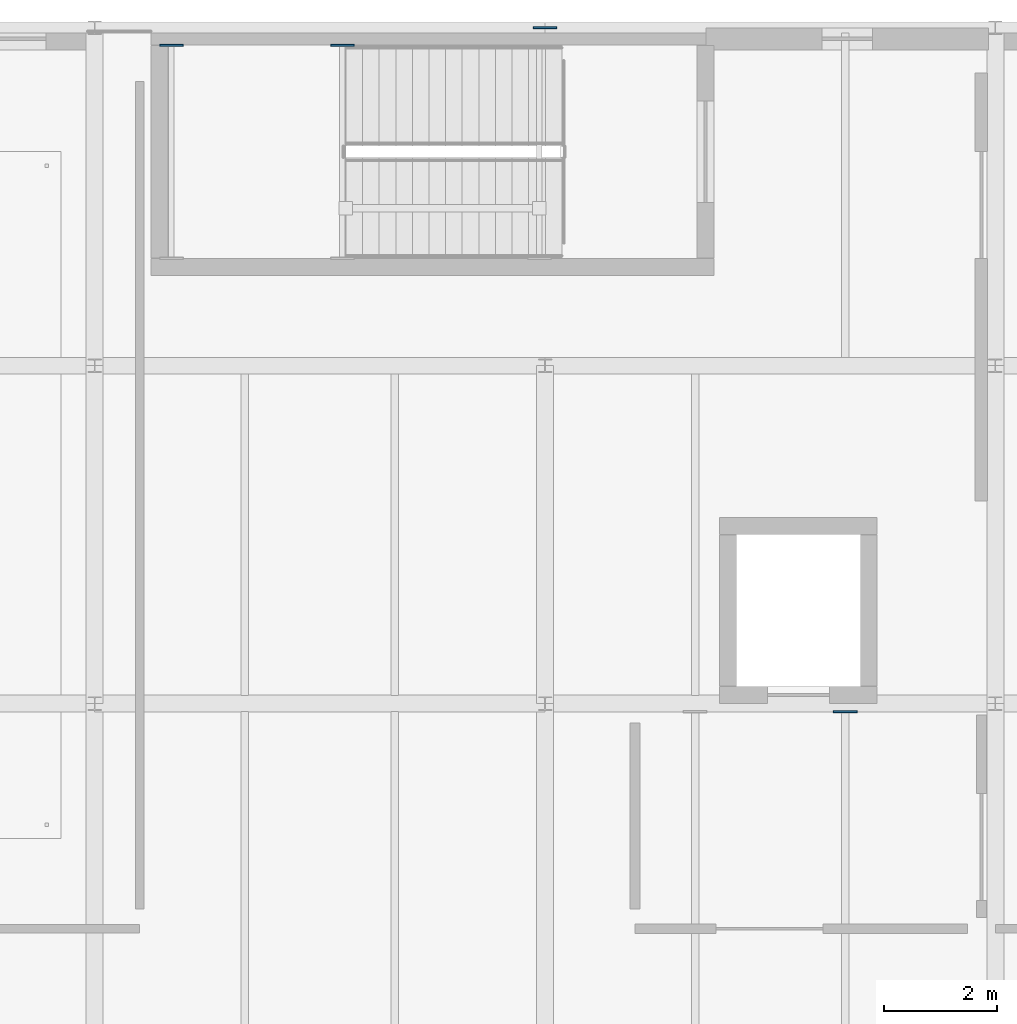
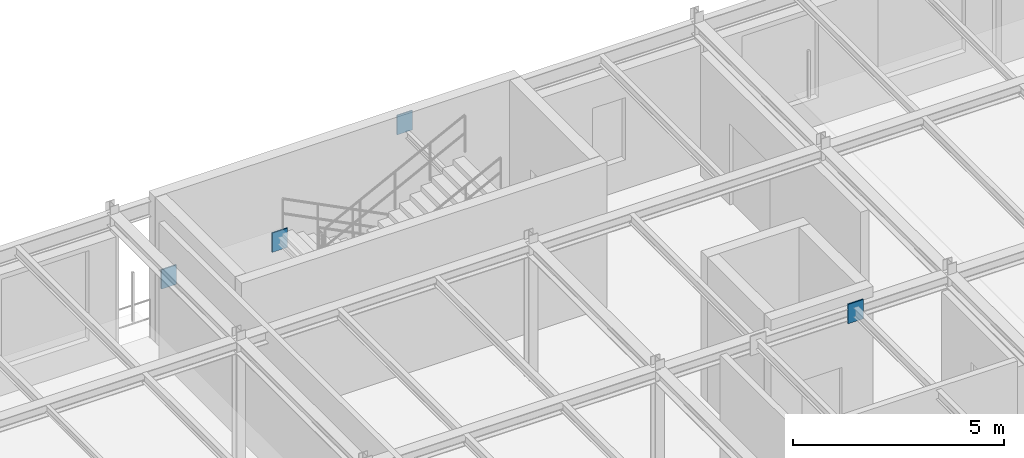
# One storey, part 76 of 124: 4 plates.
"""IFC4 building model written with IfcOpenShell, lengths in metres."""

from ifc_helpers import new_model, si_unit, direction, frame, origin, origin_2d, place, context, subcontext, project, spatial, rectangle, extrude, material, layer, layer_set, type_object, element, save


model = new_model("IFC4")

# Units and contexts
model_context = context("Model", 3, precision=1e-05, world=origin(), true_north=direction((0.0, 1.0)))
body_context = subcontext(model_context, "Body", "Model", "MODEL_VIEW")
ifc_project = project(units=[si_unit("LENGTHUNIT", "METRE"), si_unit("AREAUNIT", "SQUARE_METRE"), si_unit("VOLUMEUNIT", "CUBIC_METRE"), si_unit("PLANEANGLEUNIT", "RADIAN"), si_unit("MASSUNIT", "GRAM", prefix="KILO")], contexts=[model_context])

# Site, building, storey
site_placement = place(None, origin())
site = spatial("IfcSite", under=ifc_project, at=site_placement, CompositionType="ELEMENT")
building_placement = place(site_placement, origin())
building = spatial("IfcBuilding", under=site, at=building_placement, Name="Sundkrona Museum", CompositionType="ELEMENT")
storey_placement = place(building_placement, frame((0.0, 0.0, 17.60009765625)))
storey = spatial("IfcBuildingStorey", under=building, at=storey_placement, Name="L03", CompositionType="ELEMENT", Elevation=17.60009765625)

# Plates
ifc_material = material(Name="Steel S355J2", Category="steel")
ifc_layer = layer(ifc_material, 0.034912109375)
ifc_layer_set = layer_set([ifc_layer], Name="Steel S355J2")
plate_type = type_object("IfcPlateType", Name="EP-1", PredefinedType="USERDEFINED", material=ifc_layer_set)
for number, where, z_axis, x_axis, name in (
    (1, (48.0, 114.0, 3.454833984375), (0.0, 0.0, 1.0), (1.0, 0.0, 0.0), "Core Wall Cast-In Embed Plate BM-L03-X-1547-2"),
    (2, (53.333251953125, 101.85595703125, 3.48486328125), (0.0, 0.0, 1.0), (1.0, 0.0, 0.0), "Core Wall Cast-In Embed Plate JS-L03-1017-2"),
    (3, (41.36328125, 113.68994140625, 1.499755859375), (0.0, 0.0, 1.0), (1.0, 0.0, 0.0), "Core Wall Cast-In Embed Plate BM-STLD-ST-3-L03-1A-2"),
    (4, (44.401611328125, 113.68994140625, 1.499755859375), (0.0, 0.0, 1.0), (1.0, 0.0, 0.0), "Core Wall Cast-In Embed Plate BM-STLD-ST-3-L03-1B-2"),
):
    element("IfcPlate", number, at=place(storey_placement, frame(where, z_axis=z_axis, x_axis=x_axis)), inside=storey, type_object=plate_type, Name=name, ObjectType="GUSSET PLATE", PredefinedType="USERDEFINED", context=body_context, shape_type="SweptSolid", body=[
        extrude(rectangle(XDim=0.419921875, YDim=0.034912109375, at=origin_2d()), origin(), (0.0, 0.0, 1.0), 0.56005859375),
    ])

save(model, "model.ifc")
